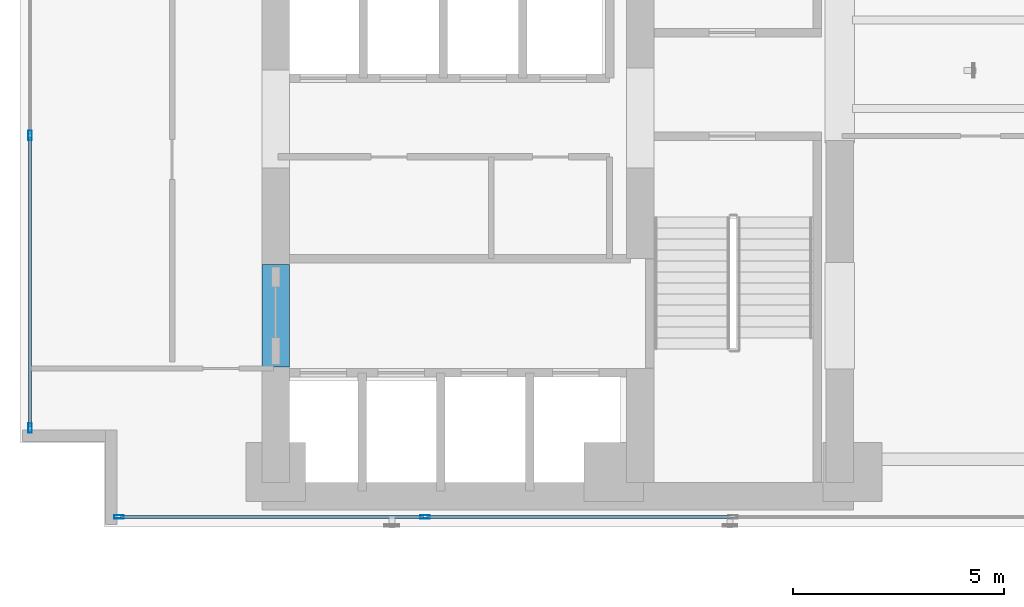
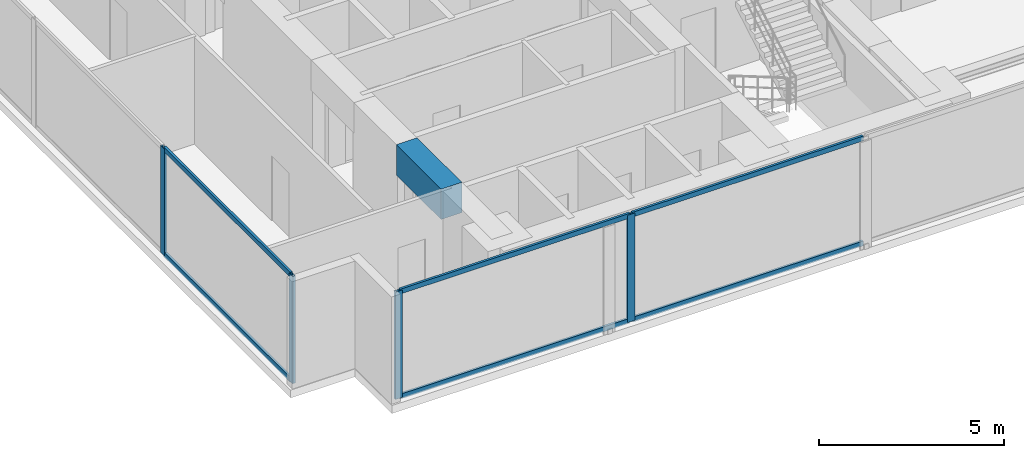
# One storey, part 2 of 27: 10 members, 1 beam, 2 elements without a shape of their own.
"""IFC4 building model written with IfcOpenShell, lengths in metres."""

from ifc_helpers import new_model, si_unit, direction, frame, origin, origin_with_axes, origin_2d, place, context, subcontext, project, spatial, rectangle, hollow_rectangle, extrude, source, transform, mapped, material, layer, layer_set, material_profile, profile_set, type_object, element, aggregate, save


model = new_model("IFC4")

# Units and contexts
model_context = context("Model", 3, precision=1e-05, world=origin(), true_north=direction((0.0, 1.0)))
body_context = subcontext(model_context, "Body", "Model", "MODEL_VIEW")
ifc_project = project(units=[si_unit("LENGTHUNIT", "METRE"), si_unit("AREAUNIT", "SQUARE_METRE"), si_unit("VOLUMEUNIT", "CUBIC_METRE"), si_unit("PLANEANGLEUNIT", "RADIAN"), si_unit("MASSUNIT", "GRAM", prefix="KILO")], contexts=[model_context])

# Site, building, storey
site_placement = place(None, origin())
site = spatial("IfcSite", under=ifc_project, at=site_placement, CompositionType="ELEMENT")
building_placement = place(site_placement, origin())
building = spatial("IfcBuilding", under=site, at=building_placement, Name="Kolvaren Waterfront Exchange", CompositionType="ELEMENT")
storey_placement = place(building_placement, frame((0.0, 0.0, 118.300048828125)))
storey = spatial("IfcBuildingStorey", under=building, at=storey_placement, Name="L30", CompositionType="ELEMENT", Elevation=118.300048828125)

# Beam
ifc_material_1 = material(Name="Concrete C60/75", Category="concrete")
ifc_material_profile_1 = material_profile(ifc_material_1, rectangle(XDim=0.64990234375, YDim=1.0, at=origin_2d()), Name="RC-CB-1000x650")
ifc_profile_set_1 = profile_set([ifc_material_profile_1], Name="Concrete C60/75")
beam_type = type_object("IfcBeamType", Name="STR-CB-1000", PredefinedType="SPANDREL", material=ifc_profile_set_1)
beam_placement = place(storey_placement, frame((7.449951171875, 7.389892578125, 3.0400390625), z_axis=(0.0, 1.0, 0.0), x_axis=(-1.0, 0.0, 0.0)))
element("IfcBeam", 1, at=beam_placement, inside=storey, type_object=beam_type, Name="L30 core coupling beam 3", PredefinedType="SPANDREL", context=body_context, shape_type="SweptSolid", body=[
    extrude(rectangle(XDim=0.64990234375, YDim=1.0, at=origin_2d()), origin(), (0.0, 0.0, 1.0), 2.420166015625),
])

# Curtain wall, members
ifc_material_2 = material(Name="Anodised bronze aluminium 6063-T6", Category="aluminium")
ifc_layer_1 = layer(ifc_material_2, 0.219970703125, Name="Anodised bronze aluminium 6063-T6")
ifc_layer_set_1 = layer_set([ifc_layer_1], Name="Anodised bronze aluminium 6063-T6")
curtain_wall_type_1 = type_object("IfcCurtainWallType", Name="ARC-CW-SYS1", PredefinedType="USERDEFINED", material=ifc_layer_set_1)
curtain_wall_1_placement = place(storey_placement, origin())
curtain_wall_1 = element("IfcCurtainWall", 2, at=curtain_wall_1_placement, inside=storey, type_object=curtain_wall_type_1, Name="L30 stick curtain wall CW1 (CW-L30-S)", ObjectType="STICK CURTAIN WALL", PredefinedType="USERDEFINED")
ifc_material_3 = material(Name="Anodised aluminium 6063-T6", Category="aluminium")
ifc_material_profile_2 = material_profile(ifc_material_3, hollow_rectangle(XDim=0.080078125, YDim=0.219970703125, WallThickness=0.0048828125, at=origin_2d()), Name="ALU-MUL-220x80x5")
ifc_profile_set_2 = profile_set([ifc_material_profile_2], Name="Anodised aluminium 6063-T6")
member_type_1 = type_object("IfcMemberType", Name="ARC-CWM-220", PredefinedType="MULLION", material=ifc_profile_set_2)
shared_shape_1 = source(origin_with_axes(), body_context, "Body", "SweptSolid", [
    extrude(hollow_rectangle(XDim=0.080078125, YDim=0.219970703125, WallThickness=0.0048828125, at=origin_2d()), origin(), (0.0, 0.0, 1.0), 3.5400390625),
])
member_1_placement = place(storey_placement, frame((3.739990234375, 3.840087890625, 0.0), z_axis=(0.0, 0.0, 1.0), x_axis=(0.0, 1.0, 0.0)))
member_1 = element("IfcMember", 3, at=member_1_placement, type_object=member_type_1, Name="CW1 mullion 1", PredefinedType="MULLION", context=body_context, shape_type="MappedRepresentation", body=[
    mapped(shared_shape_1, transform((0.0, 0.0, 0.0), x_axis=(1.0, 0.0, 0.0), y_axis=(0.0, 1.0, 0.0), z_axis=(0.0, 0.0, 1.0), scale=1.0)),
])
member_2_placement = place(storey_placement, frame((10.985595703125, 3.840087890625, 0.0), z_axis=(0.0, 0.0, 1.0), x_axis=(0.0, 1.0, 0.0)))
member_2 = element("IfcMember", 4, at=member_2_placement, type_object=member_type_1, Name="CW1 mullion 2", PredefinedType="MULLION", context=body_context, shape_type="MappedRepresentation", body=[
    mapped(shared_shape_1, transform((0.0, 0.0, 0.0), x_axis=(1.0, 0.0, 0.0), y_axis=(0.0, 1.0, 0.0), z_axis=(0.0, 0.0, 1.0), scale=1.0)),
])

ifc_layer_2 = layer(ifc_material_3, 0.219970703125, Name="Anodised aluminium 6063-T6")
ifc_layer_set_2 = layer_set([ifc_layer_2], Name="Anodised aluminium 6063-T6")
curtain_wall_type_2 = type_object("IfcCurtainWallType", Name="ARC-CW-SYS2", PredefinedType="USERDEFINED", material=ifc_layer_set_2)
curtain_wall_2_placement = place(storey_placement, origin())
curtain_wall_2 = element("IfcCurtainWall", 5, at=curtain_wall_2_placement, inside=storey, type_object=curtain_wall_type_2, Name="L30 stick curtain wall CW2 (CW-L30-W)", ObjectType="STICK CURTAIN WALL", PredefinedType="USERDEFINED")
member_3_placement = place(storey_placement, frame((1.639892578125, 5.93994140625, 0.0), z_axis=(0.0, 0.0, 1.0), x_axis=(-1.0, 0.0, 0.0)))
member_3 = element("IfcMember", 6, at=member_3_placement, type_object=member_type_1, Name="CW2 mullion 1", PredefinedType="MULLION", context=body_context, shape_type="MappedRepresentation", body=[
    mapped(shared_shape_1, transform((0.0, 0.0, 0.0), x_axis=(1.0, 0.0, 0.0), y_axis=(0.0, 1.0, 0.0), z_axis=(0.0, 0.0, 1.0), scale=1.0)),
])
member_4_placement = place(storey_placement, frame((1.639892578125, 12.86669921875, 0.0), z_axis=(0.0, 0.0, 1.0), x_axis=(-1.0, 0.0, 0.0)))
member_4 = element("IfcMember", 7, at=member_4_placement, type_object=member_type_1, Name="CW2 mullion 2", PredefinedType="MULLION", context=body_context, shape_type="MappedRepresentation", body=[
    mapped(shared_shape_1, transform((0.0, 0.0, 0.0), x_axis=(1.0, 0.0, 0.0), y_axis=(0.0, 1.0, 0.0), z_axis=(0.0, 0.0, 1.0), scale=1.0)),
])
ifc_material_profile_3 = material_profile(ifc_material_3, hollow_rectangle(XDim=0.074951171875, YDim=0.159912109375, WallThickness=0.00439453125, at=origin_2d()), Name="ALU-TRN-160x75x4.5")
ifc_profile_set_3 = profile_set([ifc_material_profile_3], Name="Anodised aluminium 6063-T6")
member_type_2 = type_object("IfcMemberType", Name="ARC-CWT-160", PredefinedType="USERDEFINED", material=ifc_profile_set_3)
shared_shape_2 = source(origin_with_axes(), body_context, "Body", "SweptSolid", [
    extrude(hollow_rectangle(XDim=0.074951171875, YDim=0.159912109375, WallThickness=0.00439453125, at=origin_2d()), origin(), (0.0, 0.0, 1.0), 6.8466796875),
])
member_5_placement = place(storey_placement, frame((1.639892578125, 5.97998046875, 0.037353515625), z_axis=(0.0, 1.0, 0.0), x_axis=(-1.0, 0.0, 0.0)))
member_5 = element("IfcMember", 8, at=member_5_placement, type_object=member_type_2, Name="CW2 transom 1.1", ObjectType="TRANSOM", PredefinedType="USERDEFINED", context=body_context, shape_type="MappedRepresentation", body=[
    mapped(shared_shape_2, transform((0.0, 0.0, 0.0), x_axis=(1.0, 0.0, 0.0), y_axis=(0.0, 1.0, 0.0), z_axis=(0.0, 0.0, 1.0), scale=1.0)),
])
member_6_placement = place(storey_placement, frame((1.639892578125, 5.97998046875, 3.50244140625), z_axis=(0.0, 1.0, 0.0), x_axis=(-1.0, 0.0, 0.0)))
member_6 = element("IfcMember", 9, at=member_6_placement, type_object=member_type_2, Name="CW2 transom 1.2", ObjectType="TRANSOM", PredefinedType="USERDEFINED", context=body_context, shape_type="MappedRepresentation", body=[
    mapped(shared_shape_2, transform((0.0, 0.0, 0.0), x_axis=(1.0, 0.0, 0.0), y_axis=(0.0, 1.0, 0.0), z_axis=(0.0, 0.0, 1.0), scale=1.0)),
])
aggregate(curtain_wall_2, [member_3, member_4, member_5, member_6])

# Member
shared_shape_3 = source(origin_with_axes(), body_context, "Body", "SweptSolid", [
    extrude(hollow_rectangle(XDim=0.074951171875, YDim=0.159912109375, WallThickness=0.00439453125, at=origin_2d()), origin(), (0.0, 0.0, 1.0), 7.165771484375),
])
member_7_placement = place(storey_placement, frame((3.780029296875, 3.840087890625, 0.037353515625), z_axis=(1.0, 0.0, 0.0), x_axis=(0.0, 1.0, 0.0)))
member_7 = element("IfcMember", 10, at=member_7_placement, type_object=member_type_2, Name="CW1 transom 1.1", ObjectType="TRANSOM", PredefinedType="USERDEFINED", context=body_context, shape_type="MappedRepresentation", body=[
    mapped(shared_shape_3, transform((0.0, 0.0, 0.0), x_axis=(1.0, 0.0, 0.0), y_axis=(0.0, 1.0, 0.0), z_axis=(0.0, 0.0, 1.0), scale=1.0)),
])

member_8_placement = place(storey_placement, frame((3.780029296875, 3.840087890625, 3.50244140625), z_axis=(1.0, 0.0, 0.0), x_axis=(0.0, 1.0, 0.0)))
member_8 = element("IfcMember", 11, at=member_8_placement, type_object=member_type_2, Name="CW1 transom 1.2", ObjectType="TRANSOM", PredefinedType="USERDEFINED", context=body_context, shape_type="MappedRepresentation", body=[
    mapped(shared_shape_3, transform((0.0, 0.0, 0.0), x_axis=(1.0, 0.0, 0.0), y_axis=(0.0, 1.0, 0.0), z_axis=(0.0, 0.0, 1.0), scale=1.0)),
])

shared_shape_4 = source(origin_with_axes(), body_context, "Body", "SweptSolid", [
    extrude(hollow_rectangle(XDim=0.074951171875, YDim=0.159912109375, WallThickness=0.00439453125, at=origin_2d()), origin(), (0.0, 0.0, 1.0), 7.205810546875),
])
member_9_placement = place(storey_placement, frame((11.025634765625, 3.840087890625, 0.037353515625), z_axis=(1.0, 0.0, 0.0), x_axis=(0.0, 1.0, 0.0)))
member_9 = element("IfcMember", 12, at=member_9_placement, type_object=member_type_2, Name="CW1 transom 2.1", ObjectType="TRANSOM", PredefinedType="USERDEFINED", context=body_context, shape_type="MappedRepresentation", body=[
    mapped(shared_shape_4, transform((0.0, 0.0, 0.0), x_axis=(1.0, 0.0, 0.0), y_axis=(0.0, 1.0, 0.0), z_axis=(0.0, 0.0, 1.0), scale=1.0)),
])

member_10_placement = place(storey_placement, frame((11.025634765625, 3.840087890625, 3.50244140625), z_axis=(1.0, 0.0, 0.0), x_axis=(0.0, 1.0, 0.0)))
member_10 = element("IfcMember", 13, at=member_10_placement, type_object=member_type_2, Name="CW1 transom 2.2", ObjectType="TRANSOM", PredefinedType="USERDEFINED", context=body_context, shape_type="MappedRepresentation", body=[
    mapped(shared_shape_4, transform((0.0, 0.0, 0.0), x_axis=(1.0, 0.0, 0.0), y_axis=(0.0, 1.0, 0.0), z_axis=(0.0, 0.0, 1.0), scale=1.0)),
])

aggregate(curtain_wall_1, [member_1, member_2, member_7, member_8, member_9, member_10])

save(model, "model.ifc")
